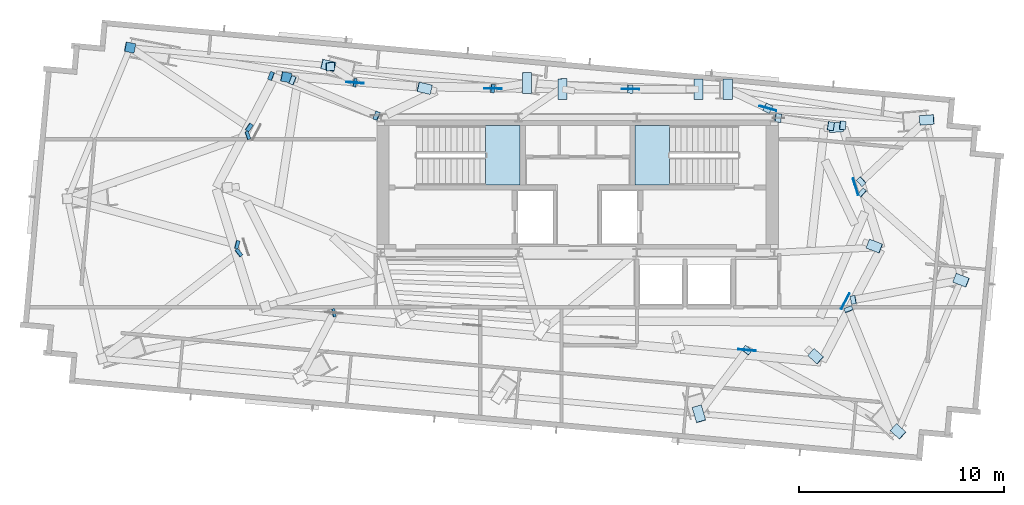
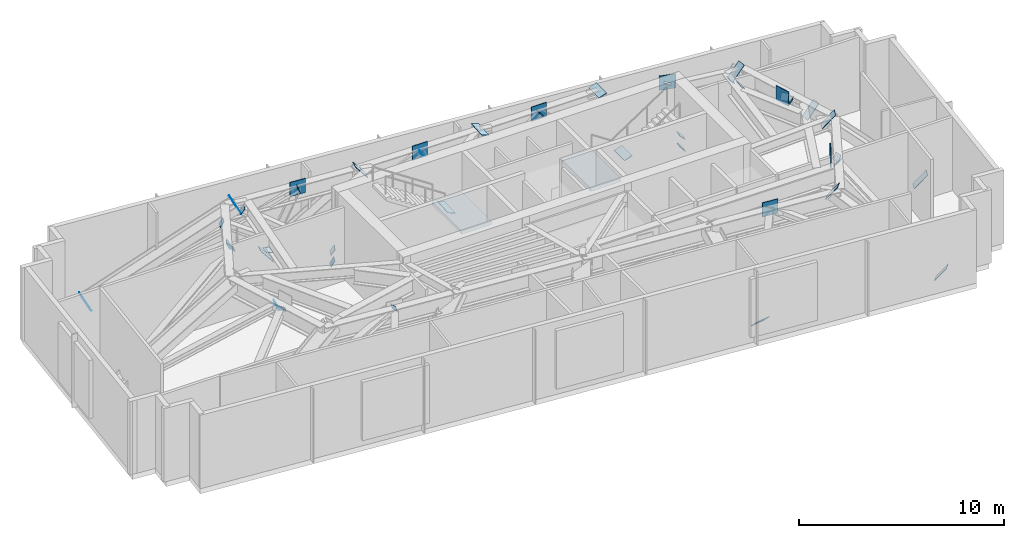
# One storey, part 4 of 9: 45 plates, 2 slabs, 2 elements without a shape of their own.
"""IFC4 building model written with IfcOpenShell, lengths in metres."""

from ifc_helpers import new_model, si_unit, direction, frame, origin, origin_2d, place, context, subcontext, project, spatial, polyline, rectangle, outline, extrude, source, transform, mapped, material, layer, layer_set, type_object, type_shapes, element, aggregate, save


model = new_model("IFC4")

# Units and contexts
model_context = context("Model", 3, precision=1e-05, world=origin(), true_north=direction((0.0, 1.0)))
body_context = subcontext(model_context, "Body", "Model", "MODEL_VIEW")
ifc_project = project(units=[si_unit("LENGTHUNIT", "METRE"), si_unit("AREAUNIT", "SQUARE_METRE"), si_unit("VOLUMEUNIT", "CUBIC_METRE"), si_unit("PLANEANGLEUNIT", "RADIAN"), si_unit("MASSUNIT", "GRAM", prefix="KILO")], contexts=[model_context])

# Site, building, storey
site_placement = place(None, origin())
site = spatial("IfcSite", under=ifc_project, at=site_placement, CompositionType="ELEMENT")
building_placement = place(site_placement, origin())
building = spatial("IfcBuilding", under=site, at=building_placement, Name="Astriad Promenade Condominiums", CompositionType="ELEMENT")
storey_placement = place(building_placement, frame((0.0, 0.0, 259.5)))
storey = spatial("IfcBuildingStorey", under=building, at=storey_placement, Name="L75", CompositionType="ELEMENT", Elevation=259.5)

# Stair, slab
ifc_material_1 = material(Name="Concrete C50/60", Category="concrete")
stair_type = type_object("IfcStairType", Name="STR-CORE-1350", PredefinedType="HALF_TURN_STAIR", material=ifc_material_1)
stair_1_placement = place(storey_placement, origin())
stair_1 = element("IfcStair", 1, at=stair_1_placement, inside=storey, type_object=stair_type, Name="L75 Enclosed Core Exit Stair ST-1", PredefinedType="HALF_TURN_STAIR")
ifc_layer_1 = layer(ifc_material_1, 0.219970703125)
ifc_layer_set_1 = layer_set([ifc_layer_1], Name="Concrete C50/60")
slab_type = type_object("IfcSlabType", Name="SLB-LANDING-220", PredefinedType="LANDING", material=ifc_layer_set_1)
slab_1_placement = place(storey_placement, frame((0.0, 0.0, 2.199951171875)))
slab_1 = element("IfcSlab", 2, at=slab_1_placement, type_object=slab_type, Name="ST-1 landing 1", PredefinedType="LANDING", context=body_context, shape_type="SweptSolid", body=[
    extrude(outline(polyline([(31.510009765625, 20.699951171875), (33.199951171875, 20.699951171875), (33.199951171875, 23.60009765625), (31.510009765625, 23.60009765625), (31.510009765625, 20.699951171875)])), origin(), (0.0, 0.0, 1.0), 0.199951171875),
])
aggregate(stair_1, [slab_1])

stair_2_placement = place(storey_placement, origin())
stair_2 = element("IfcStair", 3, at=stair_2_placement, inside=storey, type_object=stair_type, Name="L75 Enclosed Core Exit Stair ST-2", PredefinedType="HALF_TURN_STAIR")
slab_2_placement = place(storey_placement, frame((0.0, 0.0, 2.199951171875)))
slab_2 = element("IfcSlab", 4, at=slab_2_placement, type_object=slab_type, Name="ST-2 landing 1", PredefinedType="LANDING", context=body_context, shape_type="SweptSolid", body=[
    extrude(outline(polyline([(40.489990234375, 23.60009765625), (38.800048828125, 23.60009765625), (38.800048828125, 20.699951171875), (40.489990234375, 20.699951171875), (40.489990234375, 23.60009765625)])), origin(), (0.0, 0.0, 1.0), 0.199951171875),
])
aggregate(stair_2, [slab_2])

# Plates
ifc_material_2 = material(Name="Steel ASTM A572 Grade 50", Category="steel")
ifc_layer_2 = layer(ifc_material_2, 0.02490234375)
ifc_layer_set_2 = layer_set([ifc_layer_2], Name="Steel ASTM A572 Grade 50")
plate_type_1 = type_object("IfcPlateType", Name="STEEL HOLLOW SECTION END CAP PLATE 30", PredefinedType="USERDEFINED", material=ifc_layer_set_2)
shared_shape_1 = source(origin(), body_context, "Body", "SweptSolid", [
    extrude(rectangle(XDim=0.467529296875, YDim=1.015625, at=origin_2d()), origin(), (0.0, 0.0, 1.0), 0.02490234375),
])
for number, where, z_axis, x_axis, name in (
    (5, (41.92626953125, 9.527587890625, 0.134521484375), (-0.186480741923, 0.633012759738, 0.751345312689), (-0.959242134667, -0.282585433239, 0.0), "Hollow Section End Cap Plate COL-PC04-L75-A"),
    (6, (51.64990234375, 8.671142578125, 0.169189453125), (-0.593914915759, 0.54173128778, 0.594804408759), (-0.673903713613, -0.738819182736, 0.0), "Hollow Section End Cap Plate COL-PC05-L75-A"),
    (7, (47.62890625, 12.3388671875, 4.1962890625), (-0.593914915759, 0.54173128778, 0.594804408759), (-0.673903713613, -0.738819182736, 0.0), "Hollow Section End Cap Plate COL-PC05-L75-B"),
    (8, (14.145751953125, 27.41357421875, 0.190673828125), (0.873821533748, -0.165852030952, 0.457087552868), (0.186471760305, 0.982460321137, 0.0), "Hollow Section End Cap Plate COL-PC06-L75-A"),
    (9, (21.76806640625, 25.966796875, 4.177978515625), (0.873821533748, -0.165852030952, 0.457087552868), (0.186471760305, 0.982460321137, 0.0), "Hollow Section End Cap Plate COL-PC06-L75-B"),
    (10, (23.825927734375, 26.54150390625, 0.15966796875), (0.745876406761, -0.176748492943, 0.642205851794), (0.230581948662, 0.973052909636, 0.0), "Hollow Section End Cap Plate COL-PC07-L75-A"),
    (11, (28.5234375, 25.428466796875, 4.2041015625), (0.745876406761, -0.176748492943, 0.642205851794), (0.230581948662, 0.973052909636, 0.0), "Hollow Section End Cap Plate COL-PC07-L75-B"),
    (12, (33.529052734375, 25.68310546875, 0.0712890625), (0.379405101108, -0.064959086019, 0.922947499263), (1.0, 0.0, 0.0), "Hollow Section End Cap Plate COL-PC08-L75-A"),
    (13, (35.261474609375, 25.386474609375, 4.28564453125), (0.379405101108, -0.064959086019, 0.922947499263), (1.0, 0.0, 0.0), "Hollow Section End Cap Plate COL-PC08-L75-B"),
    (14, (43.33935546875, 25.3798828125, 0.05712890625), (-0.321233795075, 0.0, 0.946999920222), (1.0, 0.0, 0.0), "Hollow Section End Cap Plate COL-PC09-L75-A"),
    (15, (41.900390625, 25.3798828125, 4.29931640625), (-0.321233795075, 0.0, 0.946999920222), (1.0, 0.0, 0.0), "Hollow Section End Cap Plate COL-PC09-L75-B"),
    (16, (53.0517578125, 23.880126953125, 0.153076171875), (-0.735380511897, -0.060535593992, 0.674945141906), (0.082041233959, -0.996628935929, 0.0), "Hollow Section End Cap Plate COL-PC10-L75-A"),
    (17, (48.630859375, 23.51611328125, 4.21044921875), (-0.735380511897, -0.060535593992, 0.674945141906), (0.082041233959, -0.996628935929, 0.0), "Hollow Section End Cap Plate COL-PC10-L75-B"),
    (18, (54.726806640625, 16.053466796875, 0.15478515625), (-0.694691437897, 0.27317233396, 0.665417674902), (-0.365951583804, -0.930633890588, 0.0), "Hollow Section End Cap Plate COL-PC12-L75-A"),
    (19, (50.494873046875, 17.717529296875, 4.20849609375), (-0.694691437897, 0.27317233396, 0.665417674902), (-0.365951583804, -0.930633890588, 0.0), "Hollow Section End Cap Plate COL-PC12-L75-B"),
):
    element("IfcPlate", number, at=place(storey_placement, frame(where, z_axis=z_axis, x_axis=x_axis)), inside=storey, type_object=plate_type_1, Name=name, ObjectType="STIFFENER_PLATE", PredefinedType="USERDEFINED", context=body_context, shape_type="MappedRepresentation", body=[
        mapped(shared_shape_1, transform((0.0, 0.0, 0.0), scale=1.0)),
    ])
shared_shape_2 = source(origin(), body_context, "Body", "SweptSolid", [
    extrude(rectangle(XDim=0.41259765625, YDim=0.40771484375, at=origin_2d()), origin(), (0.0, 0.0, 1.0), 0.02490234375),
])
for number, where, z_axis, x_axis, name in (
    (20, (26.190185546875, 24.079345703125, 0.361328125), (-0.822678058655, 0.31110498687, 0.475830325801), (-0.353714458123, -0.935353453041, 0.0), "Hollow Section End Cap Plate BRACE-OUT-L75-01A-A"),
    (21, (21.052978515625, 26.02197265625, 3.33251953125), (-0.822678058655, 0.31110498687, 0.475830325801), (-0.353714458123, -0.935353453041, 0.0), "Hollow Section End Cap Plate BRACE-OUT-L75-01A-B"),
    (22, (26.201171875, 24.083740234375, 1.05615234375), (-0.779493084187, 0.328190523079, 0.533555538128), (-0.388039834981, -0.921642602351, 0.0), "Hollow Section End Cap Plate BRACE-OUT-L75-01B-A"),
    (23, (22.10107421875, 25.81005859375, 3.86279296875), (-0.779493084187, 0.328190523079, 0.533555538128), (-0.388039834981, -0.921642602351, 0.0), "Hollow Section End Cap Plate BRACE-OUT-L75-01B-B"),
    (24, (45.788818359375, 23.978271484375, 0.409912109375), (0.741172515947, -0.085201512994, 0.665885878952), (0.114202935686, 0.993457442209, 0.0), "Hollow Section End Cap Plate BRACE-OUT-L75-02A-A"),
    (25, (48.93212890625, 23.61669921875, 3.233642578125), (0.741172515947, -0.085201512994, 0.665885878952), (0.114202935686, 0.993457442209, 0.0), "Hollow Section End Cap Plate BRACE-OUT-L75-02A-B"),
    (26, (45.776123046875, 23.972900390625, 1.1025390625), (0.690503637945, -0.106125309992, 0.715501323943), (0.151908934716, 0.988394493891, 0.0), "Hollow Section End Cap Plate BRACE-OUT-L75-02B-A"),
    (27, (48.348388671875, 23.57763671875, 3.76806640625), (0.690503637945, -0.106125309992, 0.715501323943), (0.151908934716, 0.988394493891, 0.0), "Hollow Section End Cap Plate BRACE-OUT-L75-02B-B"),
):
    element("IfcPlate", number, at=place(storey_placement, frame(where, z_axis=z_axis, x_axis=x_axis)), inside=storey, type_object=plate_type_1, Name=name, ObjectType="STIFFENER_PLATE", PredefinedType="USERDEFINED", context=body_context, shape_type="MappedRepresentation", body=[
        mapped(shared_shape_2, transform((0.0, 0.0, 0.0), scale=1.0)),
    ])
ifc_layer_3 = layer(ifc_material_2, 0.0400390625)
ifc_layer_set_3 = layer_set([ifc_layer_3], Name="Steel ASTM A572 Grade 50")
plate_type_2 = type_object("IfcPlateType", Name="STEEL TRUSS NODE GUSSET PLATE 40", PredefinedType="USERDEFINED", material=ifc_layer_set_3)
shared_shape_3 = source(origin(), body_context, "Body", "SweptSolid", [
    extrude(rectangle(XDim=0.85009765625, YDim=0.0400390625, at=origin_2d()), origin(), (0.0, 0.0, 1.0), 0.85009765625),
])
type_shapes(plate_type_2, [shared_shape_3])
for number, where, z_axis, x_axis, name in (
    (28, (44.273193359375, 12.64599609375, 3.77490234375), (0.0, 0.0, 1.0), (0.995836806996, -0.091154011602, 0.0), "Truss Gusset Plate GP-BELT-L75-04"),
    (29, (25.143310546875, 25.6982421875, 3.77490234375), (0.0, 0.0, 1.0), (0.996848485666, -0.079329040235, 0.0), "Truss Gusset Plate GP-BELT-L75-05"),
    (30, (31.872314453125, 25.4111328125, 3.77490234375), (0.0, 0.0, 1.0), (0.999984403629, -0.005585024571, 0.0), "Truss Gusset Plate GP-BELT-L75-06"),
    (31, (38.580078125, 25.38623046875, 3.77490234375), (0.0, 0.0, 1.0), (0.999998157065, -0.001919860998, 0.0), "Truss Gusset Plate GP-BELT-L75-07"),
    (32, (45.2880859375, 24.448486328125, 3.77490234375), (0.0, 0.0, 1.0), (0.963537110712, -0.267574730274, 0.0), "Truss Gusset Plate GP-BELT-L75-08"),
    (33, (49.06640625, 15.026611328125, 3.77490234375), (0.0, 0.0, 1.0), (0.471627607116, 0.88179782275, 0.0), "Truss Gusset Plate GP-BELT-L75-11"),
    (34, (49.572998046875, 20.615478515625, 3.77490234375), (0.0, 0.0, 1.0), (-0.30552912238, 0.952182732136, 0.0), "Truss Gusset Plate GP-BELT-L75-12"),
):
    element("IfcPlate", number, at=place(storey_placement, frame(where, z_axis=z_axis, x_axis=x_axis)), inside=storey, type_object=plate_type_2, Name=name, ObjectType="GUSSET_PLATE", PredefinedType="USERDEFINED", context=body_context, shape_type="MappedRepresentation", body=[
        mapped(shared_shape_3, transform((0.0, 0.0, 0.0), scale=1.0)),
    ])
shared_shape_4 = source(origin(), body_context, "Body", "SweptSolid", [
    extrude(rectangle(XDim=0.40869140625, YDim=0.39599609375, at=origin_2d()), origin(), (0.0, 0.0, 1.0), 0.02490234375),
])
type_shapes(plate_type_1, [shared_shape_1, shared_shape_2, shared_shape_4])
for number, where, z_axis, x_axis, name in (
    (35, (24.0947265625, 14.464111328125, 4.191650390625), (0.925557266229, 0.182359202045, 0.331796426082), (-0.193310019013, 0.981137725576, 0.0), "Hollow Section End Cap Plate BRACE-BELT-L75-01A-B"),
    (36, (44.2626953125, 12.632080078125, 4.181884765625), (0.418039070083, 0.55156761911, 0.721814725143), (-0.796963596756, 0.604027338327, 0.0), "Hollow Section End Cap Plate BRACE-BELT-L75-04A-B"),
    (37, (25.1201171875, 25.701904296875, 4.19140625), (0.928021663957, -0.144688947993, 0.343279622984), (0.154050069868, 0.98806304251, 0.0), "Hollow Section End Cap Plate BRACE-BELT-L75-05A-B"),
    (38, (23.927001953125, 26.484130859375, 0.39697265625), (0.2989308049, -0.193092132935, 0.934535072686), (1.0, 0.0, 0.0), "Hollow Section End Cap Plate BRACE-BELT-L75-05B-A"),
    (39, (31.850341796875, 25.4140625, 4.188720703125), (0.885460984839, -0.124197004977, 0.447810169919), (0.138902834934, 0.990306014547, 0.0), "Hollow Section End Cap Plate BRACE-BELT-L75-06A-B"),
    (40, (38.560791015625, 25.38720703125, 4.184326171875), (0.776919289959, -0.045189482998, 0.627976374967), (0.058066822771, 0.998312698554, 0.0), "Hollow Section End Cap Plate BRACE-BELT-L75-07A-B"),
    (41, (45.277587890625, 24.45361328125, 4.177978515625), (0.428743228885, -0.202005285946, 0.880552728765), (0.42621807179, 0.904620448188, 0.0), "Hollow Section End Cap Plate BRACE-BELT-L75-08A-B"),
    (42, (19.4560546875, 17.39794921875, 3.9921875), (0.719072710888, 0.556900752913, 0.415687367935), (-0.61231019278, 0.790617624277, 0.0), "Hollow Section End Cap Plate BRACE-BELT-L75-09A-B"),
    (43, (19.37548828125, 17.79541015625, 3.994873046875), (0.880136519404, -0.23870207511, 0.410342572188), (0.26175440549, 0.965134514566, 0.0), "Hollow Section End Cap Plate BRACE-BELT-L75-09B-B"),
    (44, (19.892578125, 23.12255859375, 4.008056640625), (0.871317708201, 0.305950541071, 0.383666154089), (-0.331304670177, 0.943523828803, 0.0), "Hollow Section End Cap Plate BRACE-BELT-L75-10A-B"),
    (45, (19.9638671875, 23.52001953125, 3.960205078125), (0.728424508726, -0.488805874816, 0.48006931982), (0.557214829717, 0.830368372196, 0.0), "Hollow Section End Cap Plate BRACE-BELT-L75-10B-B"),
    (46, (49.227783203125, 14.6279296875, 3.945068359375), (-0.322854647087, 0.797097873214, 0.510293893137), (-0.92685790274, -0.375412344135, 0.0), "Hollow Section End Cap Plate BRACE-BELT-L75-11A-B"),
    (47, (49.468017578125, 15.10009765625, 3.911376953125), (-0.802903959388, -0.147079888071, 0.577678750279), (0.180186618701, -0.983632442756, 0.0), "Hollow Section End Cap Plate BRACE-BELT-L75-11B-B"),
    (48, (49.89501953125, 20.329833984375, 3.945556640625), (-0.643996134988, 0.57110787799, 0.509023348991), (-0.66349820387, -0.748177875549, 0.0), "Hollow Section End Cap Plate BRACE-BELT-L75-12A-B"),
    (49, (49.849609375, 20.87646484375, 3.87548828125), (-0.553346265823, -0.521801792833, 0.649254032792), (0.686065288015, -0.727539978682, 0.0), "Hollow Section End Cap Plate BRACE-BELT-L75-12B-B"),
):
    element("IfcPlate", number, at=place(storey_placement, frame(where, z_axis=z_axis, x_axis=x_axis)), inside=storey, type_object=plate_type_1, Name=name, ObjectType="STIFFENER_PLATE", PredefinedType="USERDEFINED", context=body_context, shape_type="MappedRepresentation", body=[
        mapped(shared_shape_4, transform((0.0, 0.0, 0.0), scale=1.0)),
    ])

save(model, "model.ifc")
